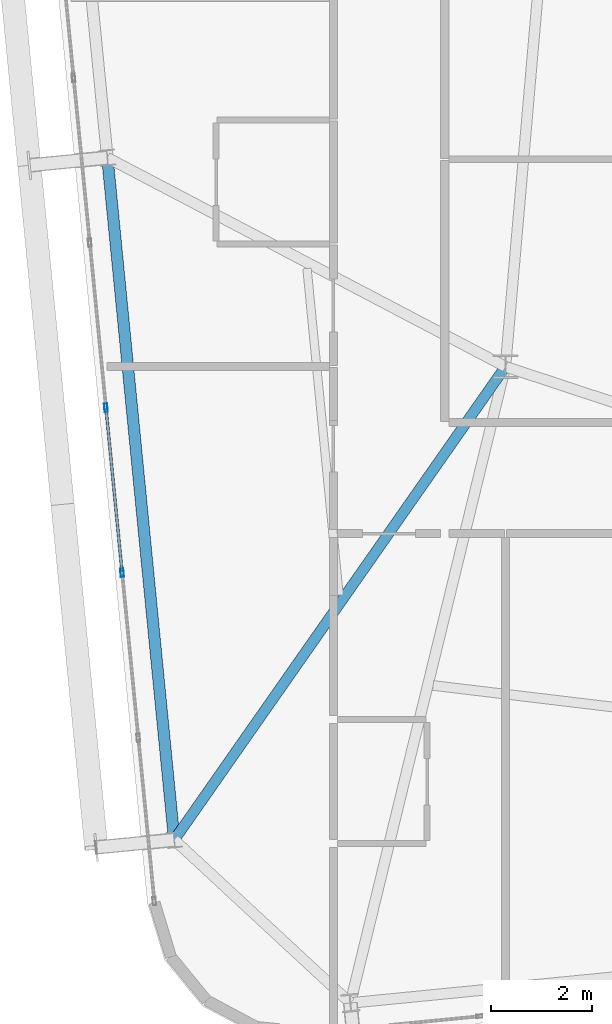
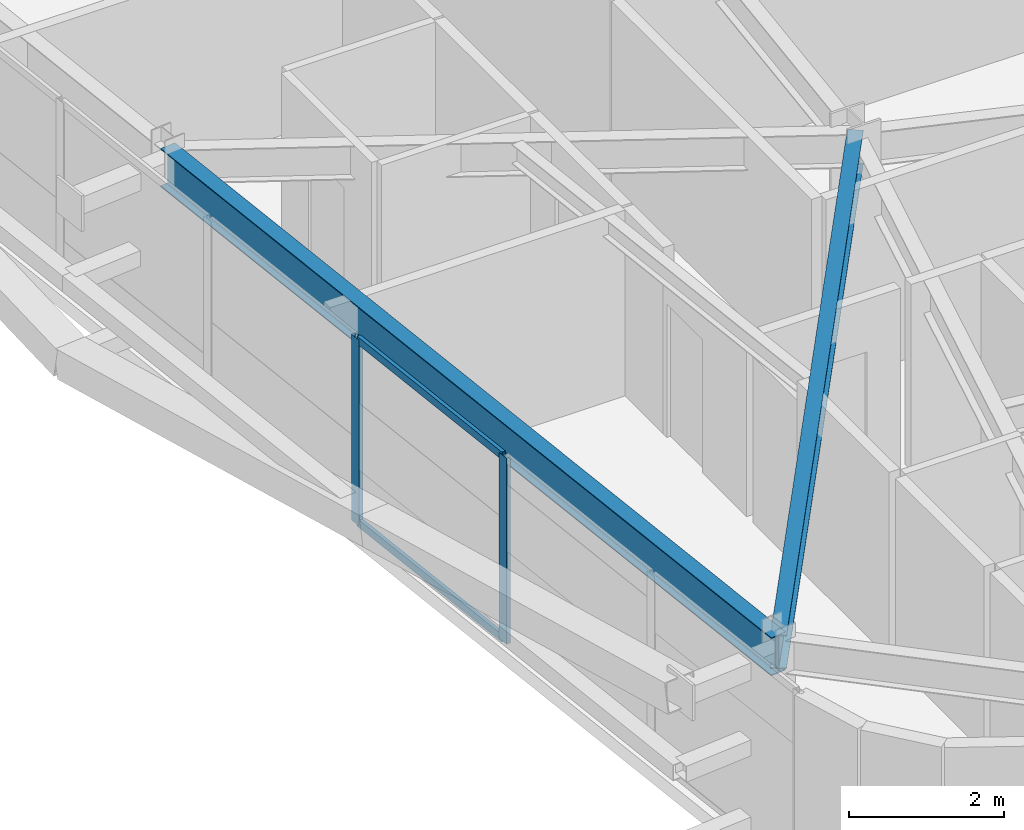
# One storey, part 8 of 54: 4 members, 2 beams, 1 element without a shape of its own.
"""IFC4 building model written with IfcOpenShell, lengths in metres."""

from ifc_helpers import new_model, si_unit, direction, frame, origin, origin_2d, place, context, subcontext, project, spatial, hollow_rectangle, i_section, extrude, source, transform, mapped, material, layer, layer_set, material_profile, profile_set, type_object, element, aggregate, save


model = new_model("IFC4")

# Units and contexts
model_context = context("Model", 3, precision=1e-05, world=origin(), true_north=direction((0.0, 1.0)))
body_context = subcontext(model_context, "Body", "Model", "MODEL_VIEW")
ifc_project = project(units=[si_unit("LENGTHUNIT", "METRE"), si_unit("AREAUNIT", "SQUARE_METRE"), si_unit("VOLUMEUNIT", "CUBIC_METRE"), si_unit("PLANEANGLEUNIT", "RADIAN"), si_unit("MASSUNIT", "GRAM", prefix="KILO")], contexts=[model_context])

# Site, building, storey
site_placement = place(None, origin())
site = spatial("IfcSite", under=ifc_project, at=site_placement, CompositionType="ELEMENT")
building_placement = place(site_placement, origin())
building = spatial("IfcBuilding", under=site, at=building_placement, Name="Taldren Reach Tower", CompositionType="ELEMENT")
storey_placement = place(building_placement, frame((0.0, 0.0, 102.89990234375)))
storey = spatial("IfcBuildingStorey", under=building, at=storey_placement, Name="L31", CompositionType="ELEMENT", Elevation=102.89990234375)

# Beams
ifc_material_1 = material(Name="Steel Gr 350 (350PLUS)", Category="steel")
ifc_material_profile_1 = material_profile(ifc_material_1, i_section(OverallWidth=0.22802734375, OverallDepth=0.60205078125, WebThickness=0.010498046875, FlangeThickness=0.014892578125, at=origin_2d()), Name="610UB101")
ifc_profile_set_1 = profile_set([ifc_material_profile_1], Name="Steel Gr 350 (350PLUS)")
beam_type_1 = type_object("IfcBeamType", Name="BM-UB610B", PredefinedType="BEAM", material=ifc_profile_set_1)
shared_shape_1 = source(origin(), body_context, "Body", "SweptSolid", [
    extrude(i_section(OverallWidth=0.22802734375, OverallDepth=0.60205078125, WebThickness=0.010498046875, FlangeThickness=0.014892578125, at=origin_2d()), origin(), (0.0, 0.0, 1.0), 13.550048828125),
])
beam_1_placement = place(storey_placement, frame((10.130615234375, 16.631103515625, 2.629150390625), z_axis=(0.097584021339, -0.995227290009, 0.0), x_axis=(0.995227290009, 0.097584021339, 0.0)))
element("IfcBeam", 1, at=beam_1_placement, inside=storey, type_object=beam_type_1, Name="Perimeter gable girder B2 W2-W1 L31", PredefinedType="BEAM", context=body_context, shape_type="MappedRepresentation", body=[
    mapped(shared_shape_1, transform((0.0, 0.0, 0.0), scale=1.0)),
])
ifc_material_profile_2 = material_profile(ifc_material_1, i_section(OverallWidth=0.208984375, OverallDepth=0.532958984375, WebThickness=0.01025390625, FlangeThickness=0.015625, at=origin_2d()), Name="530UB92.4")
ifc_profile_set_2 = profile_set([ifc_material_profile_2], Name="Steel Gr 350 (350PLUS)")
beam_type_2 = type_object("IfcBeamType", Name="BM-UB530A", PredefinedType="BEAM", material=ifc_profile_set_2)
shared_shape_2 = source(origin(), body_context, "Body", "SweptSolid", [
    extrude(i_section(OverallWidth=0.208984375, OverallDepth=0.532958984375, WebThickness=0.01025390625, FlangeThickness=0.015625, at=origin_2d()), origin(), (0.0, 0.0, 1.0), 11.417724609375),
])
beam_2_placement = place(storey_placement, frame((18.0, 12.5, 2.66357421875), z_axis=(-0.573412116146, -0.819267077977, 0.0), x_axis=(0.819267077977, -0.573412116146, 0.0)))
element("IfcBeam", 2, at=beam_2_placement, inside=storey, type_object=beam_type_2, Name="Primary floor girder B2-W1 L31", PredefinedType="BEAM", context=body_context, shape_type="MappedRepresentation", body=[
    mapped(shared_shape_2, transform((0.0, 0.0, 0.0), scale=1.0)),
])

# Curtain wall, members
ifc_material_2 = material(Name="Aluminium and Low-E Glass Unitised System", Category="aluminium")
ifc_layer = layer(ifc_material_2, 0.159912109375)
ifc_layer_set = layer_set([ifc_layer], Name="Aluminium and Low-E Glass Unitised System")
curtain_wall_type = type_object("IfcCurtainWallType", Name="CW-SYS-3", PredefinedType="NOTDEFINED", material=ifc_layer_set)
curtain_wall_placement = place(storey_placement, origin())
curtain_wall = element("IfcCurtainWall", 3, at=curtain_wall_placement, inside=storey, type_object=curtain_wall_type, Name="Unitised curtain wall CW-L31-W", PredefinedType="NOTDEFINED")
ifc_material_3 = material(Name="Anodised Aluminium 6063-T6", Category="aluminium")
ifc_material_profile_3 = material_profile(ifc_material_3, hollow_rectangle(XDim=0.06494140625, YDim=0.1650390625, WallThickness=0.00390625, at=origin_2d()), Name="ALU-165x65x4RHS")
ifc_profile_set_3 = profile_set([ifc_material_profile_3], Name="Anodised Aluminium 6063-T6")
member_type_1 = type_object("IfcMemberType", Name="CW-MUL-165", PredefinedType="MULLION", material=ifc_profile_set_3)
shared_shape_3 = source(origin(), body_context, "Body", "SweptSolid", [
    extrude(hollow_rectangle(XDim=0.06494140625, YDim=0.1650390625, WallThickness=0.00390625, at=origin_2d()), origin(), (0.0, 0.0, 1.0), 2.93017578125),
])
member_1_placement = place(storey_placement, frame((10.102783203125, 11.688232421875, 0.0), z_axis=(0.0, 0.0, 1.0), x_axis=(0.99522741555, 0.09758274098, 0.0)))
member_1 = element("IfcMember", 4, at=member_1_placement, type_object=member_type_1, Name="CW-3 mullion 7", PredefinedType="MULLION", context=body_context, shape_type="MappedRepresentation", body=[
    mapped(shared_shape_3, transform((0.0, 0.0, 0.0), scale=1.0)),
])
member_2_placement = place(storey_placement, frame((10.422607421875, 8.426025390625, 0.0), z_axis=(0.0, 0.0, 1.0), x_axis=(0.99522741555, 0.09758274098, 0.0)))
member_2 = element("IfcMember", 5, at=member_2_placement, type_object=member_type_1, Name="CW-3 mullion 8", PredefinedType="MULLION", context=body_context, shape_type="MappedRepresentation", body=[
    mapped(shared_shape_3, transform((0.0, 0.0, 0.0), scale=1.0)),
])
ifc_material_profile_4 = material_profile(ifc_material_3, hollow_rectangle(XDim=0.054931640625, YDim=0.1201171875, WallThickness=0.0029296875, at=origin_2d()), Name="ALU-120x55x3RHS")
ifc_profile_set_4 = profile_set([ifc_material_profile_4], Name="Anodised Aluminium 6063-T6")
member_type_2 = type_object("IfcMemberType", Name="CW-TRN-135", PredefinedType="USERDEFINED", material=ifc_profile_set_4)
shared_shape_4 = source(origin(), body_context, "Body", "SweptSolid", [
    extrude(hollow_rectangle(XDim=0.054931640625, YDim=0.1201171875, WallThickness=0.0029296875, at=origin_2d()), origin(), (0.0, 0.0, 1.0), 3.212890625),
])
member_3_placement = place(storey_placement, frame((10.10595703125, 11.65576171875, 0.027587890625), z_axis=(0.097569948235, -0.995228669805, 0.0), x_axis=(0.995228669805, 0.097569948235, 0.0)))
member_3 = element("IfcMember", 6, at=member_3_placement, type_object=member_type_2, Name="CW-3 transom 7.1", ObjectType="TRANSOM", PredefinedType="USERDEFINED", context=body_context, shape_type="MappedRepresentation", body=[
    mapped(shared_shape_4, transform((0.0, 0.0, 0.0), scale=1.0)),
])
member_4_placement = place(storey_placement, frame((10.10595703125, 11.65576171875, 2.902587890625), z_axis=(0.097569948235, -0.995228669805, 0.0), x_axis=(0.995228669805, 0.097569948235, 0.0)))
member_4 = element("IfcMember", 7, at=member_4_placement, type_object=member_type_2, Name="CW-3 transom 7.2", ObjectType="TRANSOM", PredefinedType="USERDEFINED", context=body_context, shape_type="MappedRepresentation", body=[
    mapped(shared_shape_4, transform((0.0, 0.0, 0.0), scale=1.0)),
])
aggregate(curtain_wall, [member_1, member_2, member_3, member_4])

save(model, "model.ifc")
